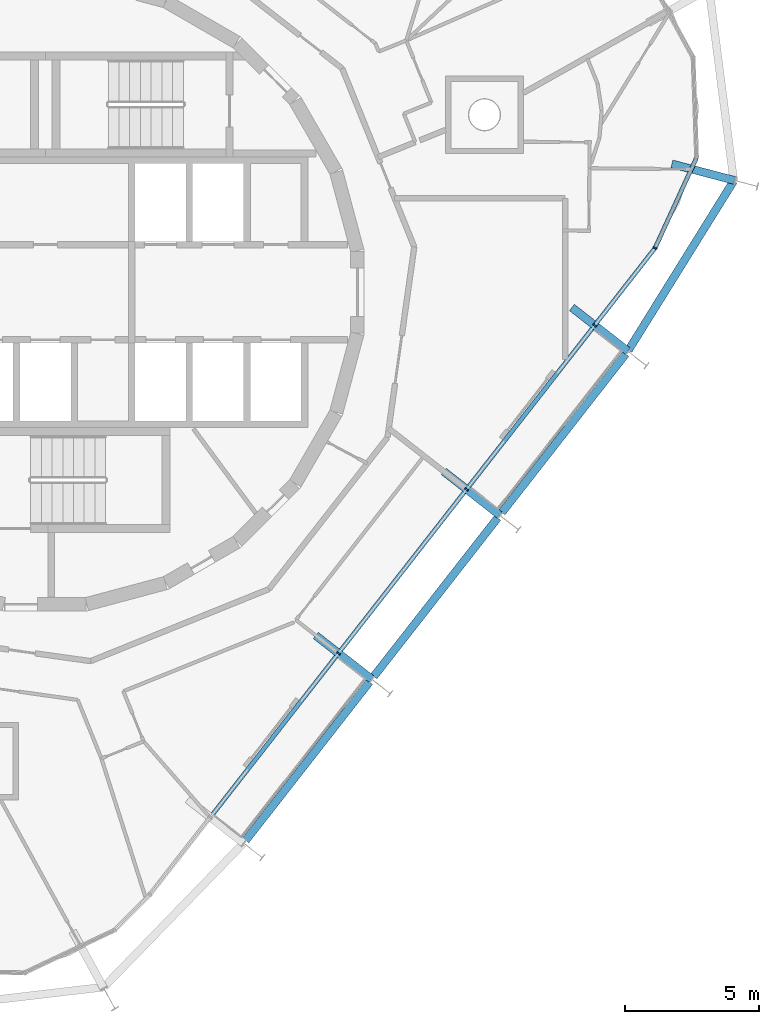
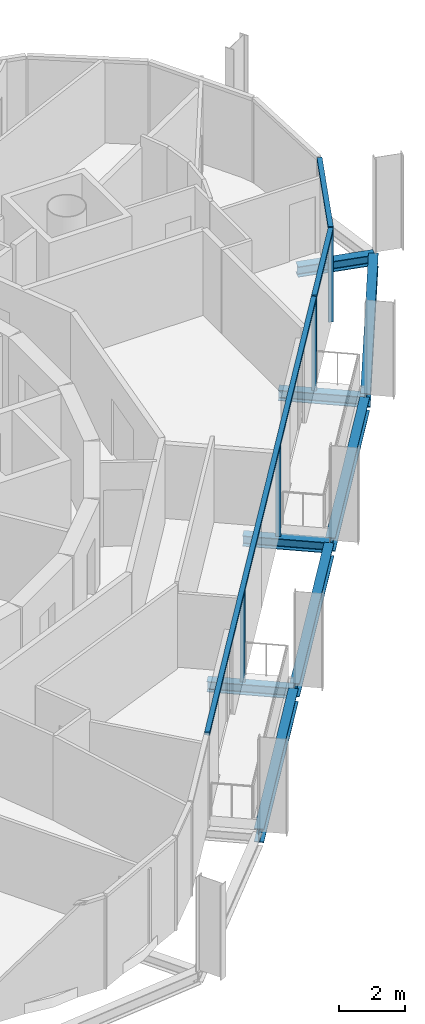
# One storey, part 4 of 15: 8 beams, 7 members, 2 elements without a shape of their own.
"""IFC4 building model written with IfcOpenShell, lengths in metres."""

import ifcopenshell
import ifcopenshell.guid

model = None  # the IFC model being written
_history = None  # IfcOwnerHistory: only IFC2X3 demands one
_inside = {}  # id of a spatial element -> (the spatial element, [elements in it])
_under = {}  # id of a project, library or spatial element -> (it, [spatial elements below it])
_declared = {}  # id of a project -> (the project, [libraries it declares])
_typed = {}  # id of a type object -> (the type object, [elements of that type])
_made_of = {}  # id of a material, layer set ... -> (it, [elements and type objects made of it])


def new_model(schema):
    """Start an empty IFC model of exactly this schema.

    Asked for "IFC4X3", IfcOpenShell would pick the latest addendum, in which some entities
    have other attributes; the version numbers below select the first issue.
    IFC2X3 requires an IfcOwnerHistory on every rooted entity: one is made here for all.
    """
    global model, _history
    if schema == "IFC4X3":
        model = ifcopenshell.file(schema_version=(4, 3, 0, 0))
    else:
        model = ifcopenshell.file(schema=schema)
    _inside.clear()
    _under.clear()
    _declared.clear()
    _typed.clear()
    _made_of.clear()
    _history = None
    if model.schema == "IFC2X3":
        org = make("IfcOrganization", Name="unknown")
        user = make(
            "IfcPersonAndOrganization",
            ThePerson=make("IfcPerson", FamilyName="unknown"),
            TheOrganization=org,
        )
        app = make(
            "IfcApplication",
            ApplicationDeveloper=org,
            Version="unknown",
            ApplicationFullName="unknown",
            ApplicationIdentifier="unknown",
        )
        _history = make(
            "IfcOwnerHistory",
            OwningUser=user,
            OwningApplication=app,
            ChangeAction="ADDED",
            CreationDate=0,
        )
    return model


def make(cls, **values):
    """One entity of the class cls with the attributes given. An attribute that is None is left unset."""
    return model.create_entity(
        cls, **{name: value for name, value in values.items() if value is not None}
    )


def rooted(cls, **values):
    """An entity with a GlobalId (a new one), such as an element, a storey or a relation."""
    return make(cls, GlobalId=ifcopenshell.guid.new(), OwnerHistory=_history, **values)


def si_unit(unit_type, name, prefix=None):
    """IfcSIUnit, for example si_unit("LENGTHUNIT", "METRE", prefix="MILLI")."""
    return make("IfcSIUnit", UnitType=unit_type, Prefix=prefix, Name=name)


def assignment(units):
    """IfcUnitAssignment: the units of a project."""
    return None if units is None else make("IfcUnitAssignment", Units=units)


def point(xyz):
    """IfcCartesianPoint."""
    return None if xyz is None else make("IfcCartesianPoint", Coordinates=xyz)


def direction(xyz):
    """IfcDirection."""
    return None if xyz is None else make("IfcDirection", DirectionRatios=xyz)


def frame(location, z_axis=None, x_axis=None):
    """IfcAxis2Placement3D, a coordinate frame: its origin and axes. An axis left out is left unset."""
    return make(
        "IfcAxis2Placement3D",
        Location=point(location),
        Axis=direction(z_axis),
        RefDirection=direction(x_axis),
    )


def frame_2d(location, x_axis=None):
    """IfcAxis2Placement2D, a coordinate frame in the plane: its origin and x axis."""
    return make(
        "IfcAxis2Placement2D", Location=point(location), RefDirection=direction(x_axis)
    )


def origin():
    """The frame at (0, 0, 0) with its axes left unset."""
    return frame((0.0, 0.0, 0.0))


def origin_2d():
    """The frame at (0, 0) in the plane with its x axis left unset."""
    return frame_2d((0.0, 0.0))


def place(relative_to, where):
    """IfcLocalPlacement: puts the frame where relative to a parent placement (None: the world)."""
    return make(
        "IfcLocalPlacement", PlacementRelTo=relative_to, RelativePlacement=where
    )


def context(
    kind, dimensions, precision=None, world=None, true_north=None, identifier=None
):
    """IfcGeometricRepresentationContext, for example the 3D "Model" context."""
    return make(
        "IfcGeometricRepresentationContext",
        ContextIdentifier=identifier,
        ContextType=kind,
        CoordinateSpaceDimension=dimensions,
        Precision=precision,
        WorldCoordinateSystem=world,
        TrueNorth=true_north,
    )


def subcontext(parent, identifier, kind, view, scale=None):
    """IfcGeometricRepresentationSubContext, for example "Body" below "Model"."""
    return make(
        "IfcGeometricRepresentationSubContext",
        ContextIdentifier=identifier,
        ContextType=kind,
        ParentContext=parent,
        TargetScale=scale,
        TargetView=view,
    )


def project(units=None, contexts=None):
    """IfcProject with its units and contexts."""
    return rooted(
        "IfcProject",
        Name="project",
        RepresentationContexts=contexts,
        UnitsInContext=assignment(units),
    )


def spatial(cls, under=None, at=None, **own):
    """A site, building, storey or space (cls), placed at a placement, below another one or the project."""
    s = rooted(cls, ObjectPlacement=at, **own)
    if under is not None:
        _under.setdefault(under.id(), (under, []))[1].append(s)
    return s


def profile(cls, at=None, kind="AREA", **sizes):
    """A parametric profile (cls). Its sizes go by their IFC names, for example OverallWidth=200.0."""
    return make(cls, ProfileType=kind, Position=at, **sizes)


def rectangle(**sizes):
    """IfcRectangleProfileDef."""
    return profile("IfcRectangleProfileDef", **sizes)


def i_section(**sizes):
    """IfcIShapeProfileDef."""
    return profile("IfcIShapeProfileDef", **sizes)


def extrude(swept, where, along, depth):
    """IfcExtrudedAreaSolid: the profile swept, set in the frame where, extruded along a direction by depth."""
    return make(
        "IfcExtrudedAreaSolid",
        SweptArea=swept,
        Position=where,
        ExtrudedDirection=direction(along),
        Depth=depth,
    )


def shape(context_of_items, identifier, shape_type, items):
    """IfcShapeRepresentation: the items that make up one representation, for example the "Body"."""
    return make(
        "IfcShapeRepresentation",
        ContextOfItems=context_of_items,
        RepresentationIdentifier=identifier,
        RepresentationType=shape_type,
        Items=items,
    )


def material(Name=None, Category=None):
    """IfcMaterial."""
    return make("IfcMaterial", Name=Name, Category=Category)


def layer(
    of_material, thickness, ventilated=None, Name=None, Category=None, Priority=None
):
    """IfcMaterialLayer: one layer of a wall or slab, of a material (None: an air gap)."""
    return make(
        "IfcMaterialLayer",
        Material=of_material,
        LayerThickness=thickness,
        IsVentilated=ventilated,
        Name=Name,
        Category=Category,
        Priority=Priority,
    )


def layer_set(layers, Name=None):
    """IfcMaterialLayerSet."""
    return make("IfcMaterialLayerSet", MaterialLayers=layers, LayerSetName=Name)


def material_profile(
    of_material, cross_section, Name=None, Category=None, Priority=None
):
    """IfcMaterialProfile: a cross section and its material."""
    return make(
        "IfcMaterialProfile",
        Name=Name,
        Material=of_material,
        Profile=cross_section,
        Priority=Priority,
        Category=Category,
    )


def profile_set(profiles, Name=None, composite=None):
    """IfcMaterialProfileSet."""
    return make(
        "IfcMaterialProfileSet",
        Name=Name,
        MaterialProfiles=profiles,
        CompositeProfile=composite,
    )


def made_of(thing, what):
    """Note that an element or type object is made of a material, layer set ...; save() writes the relation."""
    if what is not None:
        _made_of.setdefault(what.id(), (what, []))[1].append(thing)
    return thing


def type_object(cls, material=None, **own):
    """A type object (cls), such as IfcWallType, which elements share."""
    return made_of(rooted(cls, **own), material)


def element(
    cls,
    number,
    at=None,
    inside=None,
    cuts=None,
    type_object=None,
    material=None,
    context=None,
    identifier="Body",
    shape_type=None,
    held_by="IfcProductDefinitionShape",
    body=None,
    shapes=None,
    **own,
):
    """One element of the class cls, such as IfcWall. Its Tag is "e" and its number.

    at: its placement. inside: the storey or other place that contains it. cuts: it is an
    opening in that element (IfcRelVoidsElement). A single representation is given by context,
    identifier, shape_type and body (its items); several are given by shapes. held_by: the class
    of the entity that holds the representations. save() writes the other relations.
    """
    e = rooted(cls, Tag="e%d" % number, ObjectPlacement=at, **own)
    if body is not None:
        shapes = [shape(context, identifier, shape_type, body)]
    if shapes is not None:
        e.Representation = make(held_by, Representations=shapes)
    if inside is not None:
        _inside.setdefault(inside.id(), (inside, []))[1].append(e)
    if cuts is not None:
        rooted(
            "IfcRelVoidsElement", RelatingBuildingElement=cuts, RelatedOpeningElement=e
        )
    if type_object is not None:
        _typed.setdefault(type_object.id(), (type_object, []))[1].append(e)
    return made_of(e, material)


def aggregate(whole, parts):
    """IfcRelAggregates: a whole, such as a stair, and the parts it consists of."""
    return rooted("IfcRelAggregates", RelatingObject=whole, RelatedObjects=parts)


def save(model, path):
    """Write the relations noted so far, then the file.

    IfcRelAggregates (storeys below a building ...), IfcRelContainedInSpatialStructure (elements
    in a storey), IfcRelDefinesByType, IfcRelAssociatesMaterial and IfcRelDeclares: one each for
    every whole, place, type object, material and project.
    """
    for whole, parts in _under.values():
        aggregate(whole, parts)
    for where, things in _inside.values():
        rooted(
            "IfcRelContainedInSpatialStructure",
            RelatedElements=things,
            RelatingStructure=where,
        )
    for kind, things in _typed.values():
        rooted("IfcRelDefinesByType", RelatedObjects=things, RelatingType=kind)
    for what, things in _made_of.values():
        rooted("IfcRelAssociatesMaterial", RelatedObjects=things, RelatingMaterial=what)
    for by, libraries in _declared.values():
        rooted("IfcRelDeclares", RelatingContext=by, RelatedDefinitions=libraries)
    model.write(path)


model = new_model("IFC4")

# Units and contexts
model_context = context("Model", 3, precision=1e-05, world=origin(), true_north=direction((0.0, 1.0)))
body_context = subcontext(model_context, "Body", "Model", "MODEL_VIEW")
ifc_project = project(units=[si_unit("LENGTHUNIT", "METRE"), si_unit("AREAUNIT", "SQUARE_METRE"), si_unit("VOLUMEUNIT", "CUBIC_METRE"), si_unit("PLANEANGLEUNIT", "RADIAN"), si_unit("MASSUNIT", "GRAM", prefix="KILO")], contexts=[model_context])

# Site, building, storey
site_placement = place(None, origin())
site = spatial("IfcSite", under=ifc_project, at=site_placement, CompositionType="ELEMENT")
building_placement = place(site_placement, origin())
building = spatial("IfcBuilding", under=site, at=building_placement, Name="Spindle Arch Residences", CompositionType="ELEMENT")
storey_placement = place(building_placement, frame((0.0, 0.0, 340.0)))
storey = spatial("IfcBuildingStorey", under=building, at=storey_placement, Name="L87", CompositionType="ELEMENT", Elevation=340.0)

# Curtain wall, members
ifc_material_1 = material(Name="Aluminium bronze unitised frame with tinted glass", Category="aluminium")
ifc_layer_1 = layer(ifc_material_1, 0.159912109375)
ifc_layer_set_1 = layer_set([ifc_layer_1], Name="CW-D corner wall on the fillet arcs")
curtain_wall_type_1 = type_object("IfcCurtainWallType", Name="CW-D corner wall on the fillet arcs", PredefinedType="NOTDEFINED", material=ifc_layer_set_1)
curtain_wall_1_placement = place(storey_placement, origin())
curtain_wall_1 = element("IfcCurtainWall", 1, at=curtain_wall_1_placement, inside=storey, type_object=curtain_wall_type_1, Name="CW-D L87 run 1", PredefinedType="NOTDEFINED")
ifc_material_2 = material(Name="Aluminium bronze anodised mullion", Category="aluminium")
ifc_material_profile_1 = material_profile(ifc_material_2, rectangle(XDim=0.159912109375, YDim=0.06005859375, at=origin_2d()), Name="MU 60x160")
ifc_profile_set_1 = profile_set([ifc_material_profile_1], Name="Aluminium bronze anodised mullion")
member_type_1 = type_object("IfcMemberType", Name="Bronze mullion 60x160", PredefinedType="MULLION", material=ifc_profile_set_1)
member_1_placement = place(storey_placement, frame((20.50341796875, -1.237060546875, -0.3798828125), z_axis=(0.0, 0.0, 1.0), x_axis=(-0.788010753607, 0.615661475326, 0.0)))
member_1 = element("IfcMember", 2, at=member_1_placement, type_object=member_type_1, Name="CW-D mullion 00", PredefinedType="MULLION", context=body_context, shape_type="SweptSolid", body=[
    extrude(rectangle(XDim=0.159912109375, YDim=0.06005859375, at=origin_2d()), origin(), (0.0, 0.0, 1.0), 3.3798828125),
])
member_2_placement = place(storey_placement, frame((22.7568359375, 1.647216796875, -0.3798828125), z_axis=(0.0, 0.0, 1.0), x_axis=(-0.908751129947, 0.417338452362, 0.0)))
member_2 = element("IfcMember", 3, at=member_2_placement, type_object=member_type_1, Name="CW-D mullion 01", PredefinedType="MULLION", context=body_context, shape_type="SweptSolid", body=[
    extrude(rectangle(XDim=0.159912109375, YDim=0.06005859375, at=origin_2d()), origin(), (0.0, 0.0, 1.0), 3.3798828125),
])

ifc_material_3 = material(Name="Aluminium bronze unitised frame with tinted glass", Category="aluminium")
ifc_layer_2 = layer(ifc_material_3, 0.159912109375)
ifc_layer_set_2 = layer_set([ifc_layer_2], Name="CW-C typical residential unitised wall")
curtain_wall_type_2 = type_object("IfcCurtainWallType", Name="CW-C typical residential unitised wall", PredefinedType="NOTDEFINED", material=ifc_layer_set_2)
curtain_wall_2_placement = place(storey_placement, origin())
curtain_wall_2 = element("IfcCurtainWall", 4, at=curtain_wall_2_placement, inside=storey, type_object=curtain_wall_type_2, Name="CW-C L87 run 6", PredefinedType="NOTDEFINED")
member_3_placement = place(storey_placement, frame((10.94140625, -13.4755859375, -0.3798828125), z_axis=(0.0, 0.0, 1.0), x_axis=(-0.788010753607, 0.615661475326, 0.0)))
member_3 = element("IfcMember", 5, at=member_3_placement, type_object=member_type_1, Name="CW-C mullion 19", PredefinedType="MULLION", context=body_context, shape_type="SweptSolid", body=[
    extrude(rectangle(XDim=0.159912109375, YDim=0.06005859375, at=origin_2d()), origin(), (0.0, 0.0, 1.0), 3.3798828125),
])
member_4_placement = place(storey_placement, frame((15.722412109375, -7.3564453125, -0.3798828125), z_axis=(0.0, 0.0, 1.0), x_axis=(-0.788010753607, 0.615661475326, 0.0)))
member_4 = element("IfcMember", 6, at=member_4_placement, type_object=member_type_1, Name="CW-C mullion 00", PredefinedType="MULLION", context=body_context, shape_type="SweptSolid", body=[
    extrude(rectangle(XDim=0.159912109375, YDim=0.06005859375, at=origin_2d()), origin(), (0.0, 0.0, 1.0), 3.3798828125),
])

# Member
ifc_material_4 = material(Name="Aluminium bronze anodised transom", Category="aluminium")
ifc_material_profile_2 = material_profile(ifc_material_4, rectangle(XDim=0.159912109375, YDim=0.1201171875, at=origin_2d()), Name="TR 120x160")
ifc_profile_set_2 = profile_set([ifc_material_profile_2], Name="Aluminium bronze anodised transom")
member_type_2 = type_object("IfcMemberType", Name="Bronze transom 120x160", PredefinedType="USERDEFINED", material=ifc_profile_set_2)
member_5_placement = place(storey_placement, frame((20.521728515625, -1.21337890625, 3.06005859375), z_axis=(0.615647989673, 0.788021289568, 0.0), x_axis=(-0.788021289568, 0.615647989673, 0.0)))
member_5 = element("IfcMember", 7, at=member_5_placement, type_object=member_type_2, Name="CW-D transom 00", ObjectType="TRANSOM", PredefinedType="USERDEFINED", context=body_context, shape_type="SweptSolid", body=[
    extrude(rectangle(XDim=0.159912109375, YDim=0.1201171875, at=origin_2d()), origin(), (0.0, 0.0, 1.0), 3.600341796875),
])

member_6_placement = place(storey_placement, frame((22.769287109375, 1.674560546875, 3.06005859375), z_axis=(0.417326323855, 0.908756699792, 0.0), x_axis=(-0.908756699792, 0.417326323855, 0.0)))
member_6 = element("IfcMember", 8, at=member_6_placement, type_object=member_type_2, Name="CW-D transom 01", ObjectType="TRANSOM", PredefinedType="USERDEFINED", context=body_context, shape_type="SweptSolid", body=[
    extrude(rectangle(XDim=0.159912109375, YDim=0.1201171875, at=origin_2d()), origin(), (0.0, 0.0, 1.0), 3.666748046875),
])

aggregate(curtain_wall_1, [member_1, member_5, member_2, member_6])

member_7_placement = place(storey_placement, frame((6.178955078125, -19.571533203125, 3.06005859375), z_axis=(0.615655051857, 0.788015772128, 0.0), x_axis=(-0.788015772128, 0.615655051857, 0.0)))
member_7 = element("IfcMember", 9, at=member_7_placement, type_object=member_type_2, Name="CW-C transom 00", ObjectType="TRANSOM", PredefinedType="USERDEFINED", context=body_context, shape_type="SweptSolid", body=[
    extrude(rectangle(XDim=0.159912109375, YDim=0.1201171875, at=origin_2d()), origin(), (0.0, 0.0, 1.0), 23.23681640625),
])

aggregate(curtain_wall_2, [member_7, member_3, member_4])

# Beams
ifc_material_5 = material(Name="Steel S460ML, intumescent coating R 120", Category="steel")
ifc_material_profile_3 = material_profile(ifc_material_5, i_section(OverallWidth=0.300048828125, OverallDepth=0.5, WebThickness=0.014404296875, FlangeThickness=0.028076171875, FilletRadius=0.027099609375, at=origin_2d()), Name="HEB 500")
ifc_profile_set_3 = profile_set([ifc_material_profile_3], Name="Steel S460ML, intumescent coating R 120")
beam_type_1 = type_object("IfcBeamType", Name="Exoskeleton edge beam HEB 500", PredefinedType="BEAM", material=ifc_profile_set_3)
beam_1_placement = place(storey_placement, frame((17.03955078125, -8.220458984375, -0.6298828125), z_axis=(0.615652879069, 0.788017469663, 0.0), x_axis=(-0.788017469663, 0.615652879069, 0.0)))
element("IfcBeam", 10, at=beam_1_placement, inside=storey, type_object=beam_type_1, Name="Exoskeleton edge beam 1", PredefinedType="BEAM", context=body_context, shape_type="SweptSolid", body=[
    extrude(i_section(OverallWidth=0.300048828125, OverallDepth=0.5, WebThickness=0.014404296875, FlangeThickness=0.028076171875, FilletRadius=0.027099609375, at=origin_2d()), origin(), (0.0, 0.0, 1.0), 7.505615234375),
])
beam_2_placement = place(storey_placement, frame((21.760498046875, -2.17041015625, -0.6298828125), z_axis=(0.527890607505, 0.849312372751, 0.0), x_axis=(-0.849312372751, 0.527890607505, 0.0)))
element("IfcBeam", 11, at=beam_2_placement, inside=storey, type_object=beam_type_1, Name="Exoskeleton edge beam 2", PredefinedType="BEAM", context=body_context, shape_type="SweptSolid", body=[
    extrude(i_section(OverallWidth=0.300048828125, OverallDepth=0.5, WebThickness=0.014404296875, FlangeThickness=0.028076171875, FilletRadius=0.027099609375, at=origin_2d()), origin(), (0.0, 0.0, 1.0), 7.437744140625),
])
for number, where, z_axis, x_axis, name in (
    (12, (7.4775390625, -20.459228515625, -0.6298828125), (0.615673077274, 0.788001689034, 0.0), (-0.788001689034, 0.615673077274, 0.0), "Exoskeleton edge beam 19"),
    (13, (12.258544921875, -14.33984375, -0.6298828125), (0.615673077274, 0.788001689034, 0.0), (-0.788001689034, 0.615673077274, 0.0), "Exoskeleton edge beam 20"),
):
    element("IfcBeam", number, at=place(storey_placement, frame(where, z_axis=z_axis, x_axis=x_axis)), inside=storey, type_object=beam_type_1, Name=name, PredefinedType="BEAM", context=body_context, shape_type="SweptSolid", body=[
        extrude(i_section(OverallWidth=0.300048828125, OverallDepth=0.5, WebThickness=0.014404296875, FlangeThickness=0.028076171875, FilletRadius=0.027099609375, at=origin_2d()), origin(), (0.0, 0.0, 1.0), 7.505859375),
    ])
ifc_material_6 = material(Name="Steel S460ML, intumescent coating R 120", Category="steel")
ifc_material_profile_4 = material_profile(ifc_material_6, i_section(OverallWidth=0.300048828125, OverallDepth=0.389892578125, WebThickness=0.010986328125, FlangeThickness=0.01904296875, FilletRadius=0.027099609375, at=origin_2d()), Name="HEA 400")
ifc_profile_set_4 = profile_set([ifc_material_profile_4], Name="Steel S460ML, intumescent coating R 120")
beam_type_2 = type_object("IfcBeamType", Name="Floor outrigger HEA 400", PredefinedType="BEAM", material=ifc_profile_set_4)
beam_3_placement = place(storey_placement, frame((16.959716796875, -8.322998046875, -0.574951171875), z_axis=(-0.788015993799, 0.615654768127, 0.0), x_axis=(-0.615654768127, -0.788015993799, 0.0)))
element("IfcBeam", 14, at=beam_3_placement, inside=storey, type_object=beam_type_2, Name="Floor outrigger 1", PredefinedType="BEAM", context=body_context, shape_type="SweptSolid", body=[
    extrude(i_section(OverallWidth=0.300048828125, OverallDepth=0.389892578125, WebThickness=0.010986328125, FlangeThickness=0.01904296875, FilletRadius=0.027099609375, at=origin_2d()), origin(), (0.0, 0.0, 1.0), 2.650146484375),
])
beam_4_placement = place(storey_placement, frame((21.740478515625, -2.20361328125, -0.574951171875), z_axis=(-0.787981072726, 0.615699463233, 0.0), x_axis=(-0.615699463233, -0.787981072726, 0.0)))
element("IfcBeam", 15, at=beam_4_placement, inside=storey, type_object=beam_type_2, Name="Floor outrigger 2", PredefinedType="BEAM", context=body_context, shape_type="SweptSolid", body=[
    extrude(i_section(OverallWidth=0.300048828125, OverallDepth=0.389892578125, WebThickness=0.010986328125, FlangeThickness=0.01904296875, FilletRadius=0.027099609375, at=origin_2d()), origin(), (0.0, 0.0, 1.0), 2.64990234375),
])
beam_5_placement = place(storey_placement, frame((25.723388671875, 4.17138671875, -0.574951171875), z_axis=(-0.967207729223, 0.253986630616, 0.0), x_axis=(-0.253986630616, -0.967207729223, 0.0)))
element("IfcBeam", 16, at=beam_5_placement, inside=storey, type_object=beam_type_2, Name="Floor outrigger 3", PredefinedType="BEAM", context=body_context, shape_type="SweptSolid", body=[
    extrude(i_section(OverallWidth=0.300048828125, OverallDepth=0.389892578125, WebThickness=0.010986328125, FlangeThickness=0.01904296875, FilletRadius=0.027099609375, at=origin_2d()), origin(), (0.0, 0.0, 1.0), 2.41943359375),
])
beam_6_placement = place(storey_placement, frame((12.1787109375, -14.4423828125, -0.574951171875), z_axis=(-0.788015993799, 0.615654768127, 0.0), x_axis=(-0.615654768127, -0.788015993799, 0.0)))
element("IfcBeam", 17, at=beam_6_placement, inside=storey, type_object=beam_type_2, Name="Floor outrigger 20", PredefinedType="BEAM", context=body_context, shape_type="SweptSolid", body=[
    extrude(i_section(OverallWidth=0.300048828125, OverallDepth=0.389892578125, WebThickness=0.010986328125, FlangeThickness=0.01904296875, FilletRadius=0.027099609375, at=origin_2d()), origin(), (0.0, 0.0, 1.0), 2.650146484375),
])

save(model, "model.ifc")
